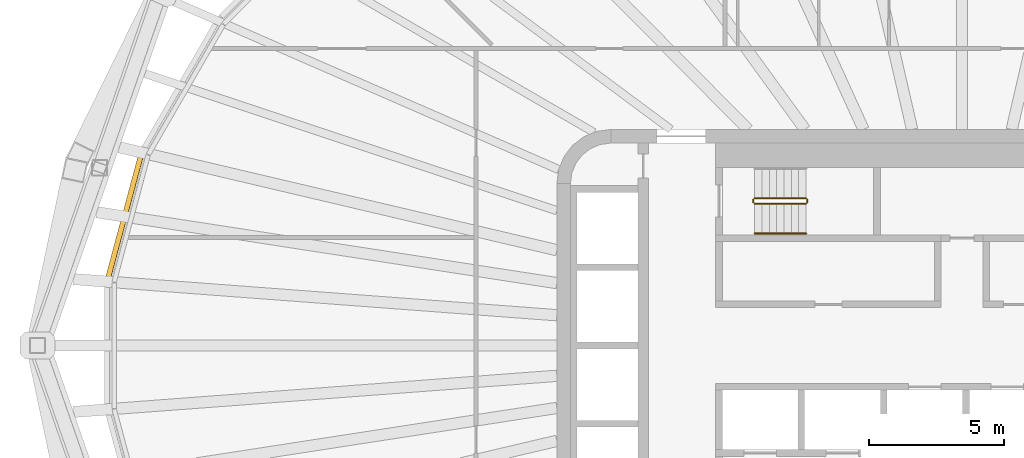
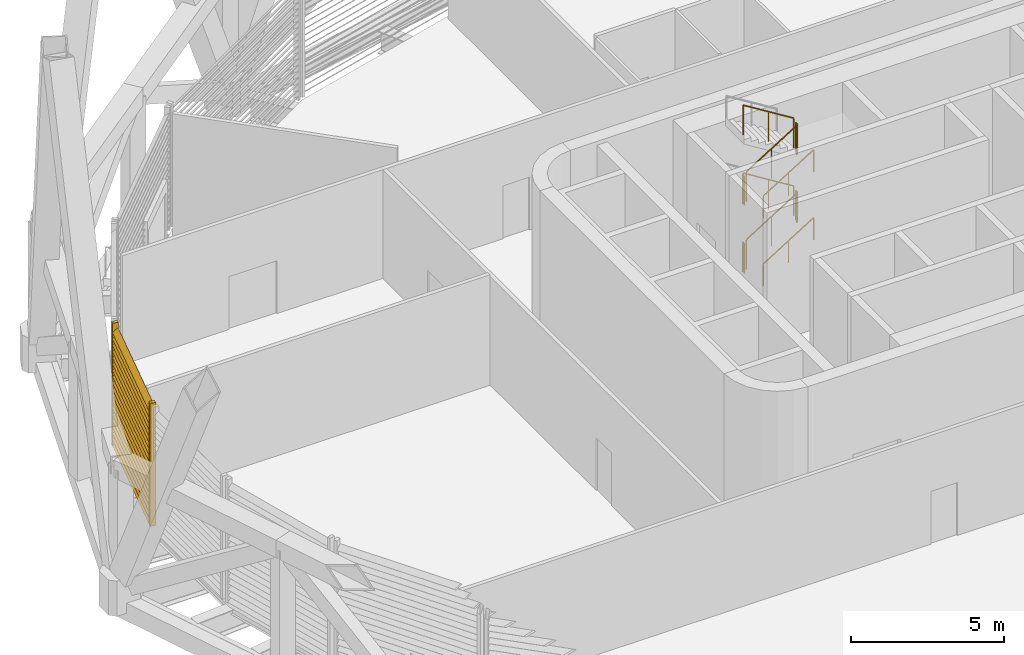
# One storey, part 13 of 18: 10 railings, 1 shading device.
"""IFC4 building model written with IfcOpenShell, lengths in metres."""

from ifc_helpers import new_model, si_unit, direction, frame, origin, origin_2d, place, context, subcontext, project, spatial, rectangle, circle, extrude, material, type_object, element, save


model = new_model("IFC4")

# Units and contexts
model_context = context("Model", 3, precision=1e-05, world=origin(), true_north=direction((0.0, 1.0)))
body_context = subcontext(model_context, "Body", "Model", "MODEL_VIEW")
ifc_project = project(units=[si_unit("LENGTHUNIT", "METRE"), si_unit("AREAUNIT", "SQUARE_METRE"), si_unit("VOLUMEUNIT", "CUBIC_METRE"), si_unit("PLANEANGLEUNIT", "RADIAN"), si_unit("MASSUNIT", "GRAM", prefix="KILO")], contexts=[model_context])

# Site, building, storey
site_placement = place(None, origin())
site = spatial("IfcSite", under=ifc_project, at=site_placement, CompositionType="ELEMENT")
building_placement = place(site_placement, origin())
building = spatial("IfcBuilding", under=site, at=building_placement, Name="Sahrelin Media Tower", CompositionType="ELEMENT")
storey_placement = place(building_placement, frame((0.0, 0.0, 148.199951171875)))
storey = spatial("IfcBuildingStorey", under=building, at=storey_placement, Name="L30", CompositionType="ELEMENT", Elevation=148.199951171875)

# Shading device
ifc_material_1 = material(Name="Champagne anodised aluminium 6063-T6", Category="aluminium")
shading_device_type = type_object("IfcShadingDeviceType", Name="Sand-rejection louvre band", PredefinedType="USERDEFINED", material=ifc_material_1)
shading_device_placement = place(storey_placement, frame((-30.908203125, 4.740478515625, 0.0), z_axis=(0.0, 0.0, 1.0), x_axis=(0.258807731996, 0.965928857556, 0.0)))
element("IfcShadingDevice", 1, at=shading_device_placement, inside=storey, type_object=shading_device_type, Name="L30:LOUVRE:L30-11", ObjectType="LOUVRE", PredefinedType="USERDEFINED", context=body_context, shape_type="SweptSolid", body=[
    extrude(rectangle(XDim=0.1201171875, YDim=0.199951171875, at=origin_2d()), frame((2.356201171875, 0.10009765625, 0.050048828125), z_axis=(0.0, 0.0, 1.0), x_axis=(1.0, 0.0, 0.0)), (0.0, 0.0, 1.0), 4.8984375),
    extrude(rectangle(XDim=0.1201171875, YDim=0.199951171875, at=origin_2d()), frame((-2.356201171875, 0.10009765625, 0.050048828125), z_axis=(0.0, 0.0, 1.0), x_axis=(1.0, 0.0, 0.0)), (0.0, 0.0, 1.0), 4.8984375),
    extrude(rectangle(XDim=0.25, YDim=0.02001953125, at=origin_2d()), frame((2.29638671875, 0.10009765625, 0.14990234375), z_axis=(-1.0, 0.0, 0.0), x_axis=(0.0, -0.766044443119, 0.642787609687)), (0.0, 0.0, 1.0), 4.5927734375),
    extrude(rectangle(XDim=0.25, YDim=0.02001953125, at=origin_2d()), frame((2.29638671875, 0.10009765625, 0.39990234375), z_axis=(-1.0, 0.0, 0.0), x_axis=(0.0, -0.766044443119, 0.642787609687)), (0.0, 0.0, 1.0), 4.5927734375),
    extrude(rectangle(XDim=0.25, YDim=0.02001953125, at=origin_2d()), frame((2.29638671875, 0.10009765625, 0.64990234375), z_axis=(-1.0, 0.0, 0.0), x_axis=(0.0, -0.766044443119, 0.642787609687)), (0.0, 0.0, 1.0), 4.5927734375),
    extrude(rectangle(XDim=0.25, YDim=0.02001953125, at=origin_2d()), frame((2.29638671875, 0.10009765625, 0.89990234375), z_axis=(-1.0, 0.0, 0.0), x_axis=(0.0, -0.766044443119, 0.642787609687)), (0.0, 0.0, 1.0), 4.5927734375),
    extrude(rectangle(XDim=0.25, YDim=0.02001953125, at=origin_2d()), frame((2.29638671875, 0.10009765625, 1.14990234375), z_axis=(-1.0, 0.0, 0.0), x_axis=(0.0, -0.766044443119, 0.642787609687)), (0.0, 0.0, 1.0), 4.5927734375),
    extrude(rectangle(XDim=0.25, YDim=0.02001953125, at=origin_2d()), frame((2.29638671875, 0.10009765625, 1.39990234375), z_axis=(-1.0, 0.0, 0.0), x_axis=(0.0, -0.766044443119, 0.642787609687)), (0.0, 0.0, 1.0), 4.5927734375),
    extrude(rectangle(XDim=0.25, YDim=0.02001953125, at=origin_2d()), frame((2.29638671875, 0.10009765625, 1.64990234375), z_axis=(-1.0, 0.0, 0.0), x_axis=(0.0, -0.766044443119, 0.642787609687)), (0.0, 0.0, 1.0), 4.5927734375),
    extrude(rectangle(XDim=0.25, YDim=0.02001953125, at=origin_2d()), frame((2.29638671875, 0.10009765625, 1.89990234375), z_axis=(-1.0, 0.0, 0.0), x_axis=(0.0, -0.766044443119, 0.642787609687)), (0.0, 0.0, 1.0), 4.5927734375),
    extrude(rectangle(XDim=0.25, YDim=0.02001953125, at=origin_2d()), frame((2.29638671875, 0.10009765625, 2.14990234375), z_axis=(-1.0, 0.0, 0.0), x_axis=(0.0, -0.766044443119, 0.642787609687)), (0.0, 0.0, 1.0), 4.5927734375),
    extrude(rectangle(XDim=0.25, YDim=0.02001953125, at=origin_2d()), frame((2.29638671875, 0.10009765625, 2.39990234375), z_axis=(-1.0, 0.0, 0.0), x_axis=(0.0, -0.766044443119, 0.642787609687)), (0.0, 0.0, 1.0), 4.5927734375),
    extrude(rectangle(XDim=0.25, YDim=0.02001953125, at=origin_2d()), frame((2.29638671875, 0.10009765625, 2.64990234375), z_axis=(-1.0, 0.0, 0.0), x_axis=(0.0, -0.766044443119, 0.642787609687)), (0.0, 0.0, 1.0), 4.5927734375),
    extrude(rectangle(XDim=0.25, YDim=0.02001953125, at=origin_2d()), frame((2.29638671875, 0.10009765625, 2.89990234375), z_axis=(-1.0, 0.0, 0.0), x_axis=(0.0, -0.766044443119, 0.642787609687)), (0.0, 0.0, 1.0), 4.5927734375),
    extrude(rectangle(XDim=0.25, YDim=0.02001953125, at=origin_2d()), frame((2.29638671875, 0.10009765625, 3.14990234375), z_axis=(-1.0, 0.0, 0.0), x_axis=(0.0, -0.766044443119, 0.642787609687)), (0.0, 0.0, 1.0), 4.5927734375),
    extrude(rectangle(XDim=0.25, YDim=0.02001953125, at=origin_2d()), frame((2.29638671875, 0.10009765625, 3.39990234375), z_axis=(-1.0, 0.0, 0.0), x_axis=(0.0, -0.766044443119, 0.642787609687)), (0.0, 0.0, 1.0), 4.5927734375),
    extrude(rectangle(XDim=0.25, YDim=0.02001953125, at=origin_2d()), frame((2.29638671875, 0.10009765625, 3.64990234375), z_axis=(-1.0, 0.0, 0.0), x_axis=(0.0, -0.766044443119, 0.642787609687)), (0.0, 0.0, 1.0), 4.5927734375),
    extrude(rectangle(XDim=0.25, YDim=0.02001953125, at=origin_2d()), frame((2.29638671875, 0.10009765625, 3.89990234375), z_axis=(-1.0, 0.0, 0.0), x_axis=(0.0, -0.766044443119, 0.642787609687)), (0.0, 0.0, 1.0), 4.5927734375),
    extrude(rectangle(XDim=0.25, YDim=0.02001953125, at=origin_2d()), frame((2.29638671875, 0.10009765625, 4.14990234375), z_axis=(-1.0, 0.0, 0.0), x_axis=(0.0, -0.766044443119, 0.642787609687)), (0.0, 0.0, 1.0), 4.5927734375),
    extrude(rectangle(XDim=0.25, YDim=0.02001953125, at=origin_2d()), frame((2.29638671875, 0.10009765625, 4.39990234375), z_axis=(-1.0, 0.0, 0.0), x_axis=(0.0, -0.766044443119, 0.642787609687)), (0.0, 0.0, 1.0), 4.5927734375),
    extrude(rectangle(XDim=0.25, YDim=0.02001953125, at=origin_2d()), frame((2.29638671875, 0.10009765625, 4.64990234375), z_axis=(-1.0, 0.0, 0.0), x_axis=(0.0, -0.766044443119, 0.642787609687)), (0.0, 0.0, 1.0), 4.5927734375),
])

# Railings
ifc_material_2 = material(Name="Steel S355", Category="steel")
railing_type_1 = type_object("IfcRailingType", Name="Stair guard 1200", PredefinedType="GUARDRAIL", material=ifc_material_2)
railing_1_placement = place(storey_placement, frame((-7.675048828125, 5.25, 0.168701171875)))
element("IfcRailing", 2, at=railing_1_placement, inside=storey, type_object=railing_type_1, Name="L30 ST1 stair guard 1", PredefinedType="GUARDRAIL", context=body_context, shape_type="SweptSolid", body=[
    extrude(circle(Radius=0.02392578125, at=origin_2d()), frame((0.0, 0.0, 1.17578125), z_axis=(0.849240365539, 0.0, 0.528006440812), x_axis=(0.0, 1.0, 0.0)), (0.0, 0.0, 1.0), 2.237548828125),
    extrude(circle(Radius=0.02099609375, at=origin_2d()), origin(), (0.0, 0.0, 1.0), 1.15185546875),
    extrude(circle(Radius=0.02099609375, at=origin_2d()), frame((0.9501953125, 0.0, 0.5908203125)), (0.0, 0.0, 1.0), 1.15185546875),
    extrude(circle(Radius=0.02099609375, at=origin_2d()), frame((1.900146484375, 0.0, 1.181396484375)), (0.0, 0.0, 1.0), 1.15185546875),
])
railing_2_placement = place(storey_placement, frame((-5.72509765625, 5.300048828125, 1.35009765625)))
element("IfcRailing", 3, at=railing_2_placement, inside=storey, type_object=railing_type_1, Name="L30 ST1 stair guard 2", PredefinedType="GUARDRAIL", context=body_context, shape_type="SweptSolid", body=[
    extrude(circle(Radius=0.02392578125, at=origin_2d()), frame((0.0, 0.0, 1.17578125), z_axis=(0.0, 1.0, 0.0), x_axis=(-1.0, 0.0, 0.0)), (0.0, 0.0, 1.0), 0.099853515625),
    extrude(circle(Radius=0.02099609375, at=origin_2d()), origin(), (0.0, 0.0, 1.0), 1.15185546875),
    extrude(circle(Radius=0.02099609375, at=origin_2d()), frame((0.0, 0.099853515625, 0.0)), (0.0, 0.0, 1.0), 1.15185546875),
])
railing_3_placement = place(storey_placement, frame((-5.77490234375, 5.449951171875, 1.518798828125)))
element("IfcRailing", 4, at=railing_3_placement, inside=storey, type_object=railing_type_1, Name="L30 ST1 stair guard 3", PredefinedType="GUARDRAIL", context=body_context, shape_type="SweptSolid", body=[
    extrude(circle(Radius=0.02392578125, at=origin_2d()), frame((0.0, 0.0, 1.17578125), z_axis=(-0.849289292259, 0.0, 0.527927739425), x_axis=(0.0, -1.0, 0.0)), (0.0, 0.0, 1.0), 2.2373046875),
    extrude(circle(Radius=0.02099609375, at=origin_2d()), origin(), (0.0, 0.0, 1.0), 1.15185546875),
    extrude(circle(Radius=0.02099609375, at=origin_2d()), frame((-0.9501953125, 0.0, 0.590576171875)), (0.0, 0.0, 1.0), 1.15185546875),
    extrude(circle(Radius=0.02099609375, at=origin_2d()), frame((-1.900146484375, 0.0, 1.18115234375)), (0.0, 0.0, 1.0), 1.15185546875),
])
railing_4_placement = place(storey_placement, frame((-7.72509765625, 5.300048828125, 2.699951171875)))
element("IfcRailing", 5, at=railing_4_placement, inside=storey, type_object=railing_type_1, Name="L30 ST1 stair guard 4", PredefinedType="GUARDRAIL", context=body_context, shape_type="SweptSolid", body=[
    extrude(circle(Radius=0.02392578125, at=origin_2d()), frame((0.0, 0.0, 1.17578125), z_axis=(0.0, 1.0, 0.0), x_axis=(-1.0, 0.0, 0.0)), (0.0, 0.0, 1.0), 0.099853515625),
    extrude(circle(Radius=0.02099609375, at=origin_2d()), origin(), (0.0, 0.0, 1.0), 1.15185546875),
    extrude(circle(Radius=0.02099609375, at=origin_2d()), frame((0.0, 0.099853515625, 0.0)), (0.0, 0.0, 1.0), 1.15185546875),
])
railing_5_placement = place(storey_placement, frame((-7.675048828125, 5.25, 2.868896484375)))
element("IfcRailing", 6, at=railing_5_placement, inside=storey, type_object=railing_type_1, Name="L30 ST1 stair guard 5", PredefinedType="GUARDRAIL", context=body_context, shape_type="SweptSolid", body=[
    extrude(circle(Radius=0.02392578125, at=origin_2d()), frame((0.0, 0.0, 1.17578125), z_axis=(0.849289292259, 0.0, 0.527927739425), x_axis=(0.0, 1.0, 0.0)), (0.0, 0.0, 1.0), 2.2373046875),
    extrude(circle(Radius=0.02099609375, at=origin_2d()), origin(), (0.0, 0.0, 1.0), 1.15185546875),
    extrude(circle(Radius=0.02099609375, at=origin_2d()), frame((0.9501953125, 0.0, 0.590576171875)), (0.0, 0.0, 1.0), 1.15185546875),
    extrude(circle(Radius=0.02099609375, at=origin_2d()), frame((1.900146484375, 0.0, 1.18115234375)), (0.0, 0.0, 1.0), 1.15185546875),
])
railing_6_placement = place(storey_placement, frame((-5.72509765625, 5.300048828125, 4.050048828125)))
element("IfcRailing", 7, at=railing_6_placement, inside=storey, type_object=railing_type_1, Name="L30 ST1 stair guard 6", PredefinedType="GUARDRAIL", context=body_context, shape_type="SweptSolid", body=[
    extrude(circle(Radius=0.02392578125, at=origin_2d()), frame((0.0, 0.0, 1.17578125), z_axis=(0.0, 1.0, 0.0), x_axis=(-1.0, 0.0, 0.0)), (0.0, 0.0, 1.0), 0.099853515625),
    extrude(circle(Radius=0.02099609375, at=origin_2d()), origin(), (0.0, 0.0, 1.0), 1.15185546875),
    extrude(circle(Radius=0.02099609375, at=origin_2d()), frame((0.0, 0.099853515625, 0.0)), (0.0, 0.0, 1.0), 1.15185546875),
])
railing_7_placement = place(storey_placement, frame((-5.77490234375, 5.449951171875, 4.21875)))
element("IfcRailing", 8, at=railing_7_placement, inside=storey, type_object=railing_type_1, Name="L30 ST1 stair guard 7", PredefinedType="GUARDRAIL", context=body_context, shape_type="SweptSolid", body=[
    extrude(circle(Radius=0.02392578125, at=origin_2d()), frame((0.0, 0.0, 1.17578125), z_axis=(-0.849240365539, 0.0, 0.528006440812), x_axis=(0.0, -1.0, 0.0)), (0.0, 0.0, 1.0), 2.237548828125),
    extrude(circle(Radius=0.02099609375, at=origin_2d()), origin(), (0.0, 0.0, 1.0), 1.15185546875),
    extrude(circle(Radius=0.02099609375, at=origin_2d()), frame((-0.9501953125, 0.0, 0.5908203125)), (0.0, 0.0, 1.0), 1.15185546875),
    extrude(circle(Radius=0.02099609375, at=origin_2d()), frame((-1.900146484375, 0.0, 1.181396484375)), (0.0, 0.0, 1.0), 1.15185546875),
])
railing_8_placement = place(storey_placement, frame((-7.72509765625, 5.300048828125, 0.0)))
element("IfcRailing", 9, at=railing_8_placement, inside=storey, type_object=railing_type_1, Name="L30 ST1 stair guard 8", PredefinedType="GUARDRAIL", context=body_context, shape_type="SweptSolid", body=[
    extrude(circle(Radius=0.02392578125, at=origin_2d()), frame((0.0, 0.0, 1.17578125), z_axis=(0.0, 1.0, 0.0), x_axis=(-1.0, 0.0, 0.0)), (0.0, 0.0, 1.0), 0.099853515625),
    extrude(circle(Radius=0.02099609375, at=origin_2d()), origin(), (0.0, 0.0, 1.0), 1.15185546875),
    extrude(circle(Radius=0.02099609375, at=origin_2d()), frame((0.0, 0.099853515625, 0.0)), (0.0, 0.0, 1.0), 1.15185546875),
])
railing_type_2 = type_object("IfcRailingType", Name="Stair handrail 900", PredefinedType="HANDRAIL", material=ifc_material_2)
railing_9_placement = place(storey_placement, frame((-7.675048828125, 4.14990234375, 0.168701171875)))
element("IfcRailing", 10, at=railing_9_placement, inside=storey, type_object=railing_type_2, Name="L30 ST1 stair handrail 1", PredefinedType="HANDRAIL", context=body_context, shape_type="SweptSolid", body=[
    extrude(circle(Radius=0.02392578125, at=origin_2d()), frame((0.0, 0.0, 0.8759765625), z_axis=(0.849240365539, 0.0, 0.528006440812), x_axis=(0.0, 1.0, 0.0)), (0.0, 0.0, 1.0), 2.237548828125),
    extrude(circle(Radius=0.02099609375, at=origin_2d()), origin(), (0.0, 0.0, 1.0), 0.851806640625),
    extrude(circle(Radius=0.02099609375, at=origin_2d()), frame((0.9501953125, 0.0, 0.5908203125)), (0.0, 0.0, 1.0), 0.851806640625),
    extrude(circle(Radius=0.02099609375, at=origin_2d()), frame((1.900146484375, 0.0, 1.181396484375)), (0.0, 0.0, 1.0), 0.851806640625),
])
railing_10_placement = place(storey_placement, frame((-7.675048828125, 4.14990234375, 2.868896484375)))
element("IfcRailing", 11, at=railing_10_placement, inside=storey, type_object=railing_type_2, Name="L30 ST1 stair handrail 3", PredefinedType="HANDRAIL", context=body_context, shape_type="SweptSolid", body=[
    extrude(circle(Radius=0.02392578125, at=origin_2d()), frame((0.0, 0.0, 0.8759765625), z_axis=(0.849289292259, 0.0, 0.527927739425), x_axis=(0.0, 1.0, 0.0)), (0.0, 0.0, 1.0), 2.2373046875),
    extrude(circle(Radius=0.02099609375, at=origin_2d()), origin(), (0.0, 0.0, 1.0), 0.851806640625),
    extrude(circle(Radius=0.02099609375, at=origin_2d()), frame((0.9501953125, 0.0, 0.590576171875)), (0.0, 0.0, 1.0), 0.851806640625),
    extrude(circle(Radius=0.02099609375, at=origin_2d()), frame((1.900146484375, 0.0, 1.18115234375)), (0.0, 0.0, 1.0), 0.851806640625),
])

save(model, "model.ifc")
